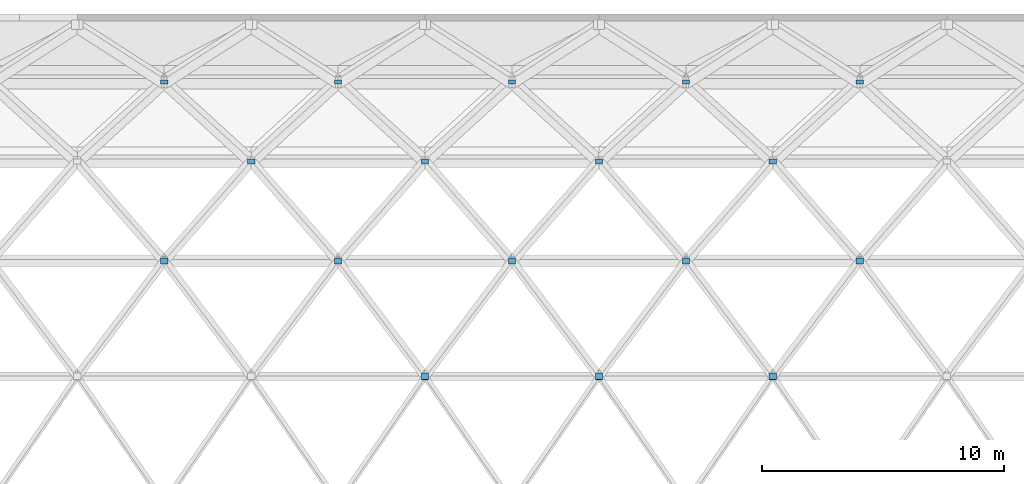
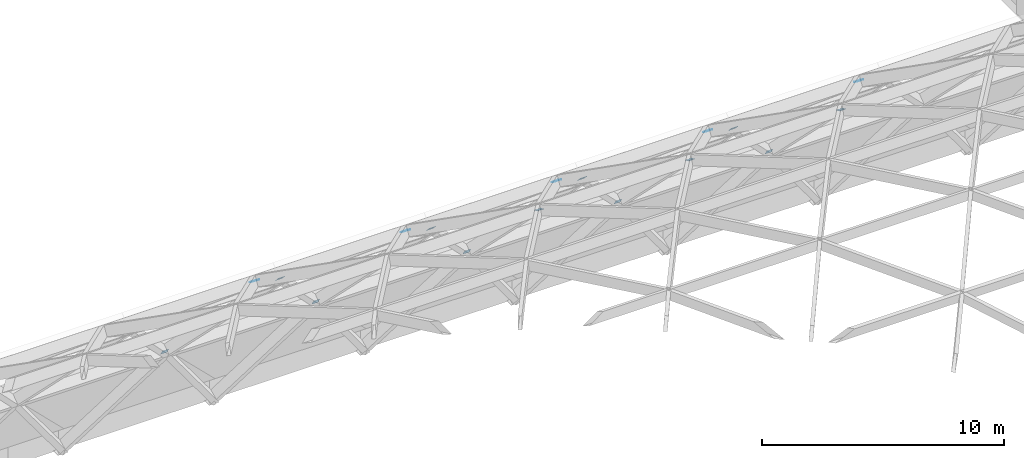
# One storey, part 46 of 52: 17 discrete accessories.
"""IFC4 building model written with IfcOpenShell, lengths in metres."""

import ifcopenshell
import ifcopenshell.guid

model = None  # the IFC model being written
_history = None  # IfcOwnerHistory: only IFC2X3 demands one
_inside = {}  # id of a spatial element -> (the spatial element, [elements in it])
_under = {}  # id of a project, library or spatial element -> (it, [spatial elements below it])
_declared = {}  # id of a project -> (the project, [libraries it declares])
_typed = {}  # id of a type object -> (the type object, [elements of that type])
_made_of = {}  # id of a material, layer set ... -> (it, [elements and type objects made of it])


def new_model(schema):
    """Start an empty IFC model of exactly this schema.

    Asked for "IFC4X3", IfcOpenShell would pick the latest addendum, in which some entities
    have other attributes; the version numbers below select the first issue.
    IFC2X3 requires an IfcOwnerHistory on every rooted entity: one is made here for all.
    """
    global model, _history
    if schema == "IFC4X3":
        model = ifcopenshell.file(schema_version=(4, 3, 0, 0))
    else:
        model = ifcopenshell.file(schema=schema)
    _inside.clear()
    _under.clear()
    _declared.clear()
    _typed.clear()
    _made_of.clear()
    _history = None
    if model.schema == "IFC2X3":
        org = make("IfcOrganization", Name="unknown")
        user = make(
            "IfcPersonAndOrganization",
            ThePerson=make("IfcPerson", FamilyName="unknown"),
            TheOrganization=org,
        )
        app = make(
            "IfcApplication",
            ApplicationDeveloper=org,
            Version="unknown",
            ApplicationFullName="unknown",
            ApplicationIdentifier="unknown",
        )
        _history = make(
            "IfcOwnerHistory",
            OwningUser=user,
            OwningApplication=app,
            ChangeAction="ADDED",
            CreationDate=0,
        )
    return model


def make(cls, **values):
    """One entity of the class cls with the attributes given. An attribute that is None is left unset."""
    return model.create_entity(
        cls, **{name: value for name, value in values.items() if value is not None}
    )


def rooted(cls, **values):
    """An entity with a GlobalId (a new one), such as an element, a storey or a relation."""
    return make(cls, GlobalId=ifcopenshell.guid.new(), OwnerHistory=_history, **values)


def si_unit(unit_type, name, prefix=None):
    """IfcSIUnit, for example si_unit("LENGTHUNIT", "METRE", prefix="MILLI")."""
    return make("IfcSIUnit", UnitType=unit_type, Prefix=prefix, Name=name)


def assignment(units):
    """IfcUnitAssignment: the units of a project."""
    return None if units is None else make("IfcUnitAssignment", Units=units)


def point(xyz):
    """IfcCartesianPoint."""
    return None if xyz is None else make("IfcCartesianPoint", Coordinates=xyz)


def direction(xyz):
    """IfcDirection."""
    return None if xyz is None else make("IfcDirection", DirectionRatios=xyz)


def frame(location, z_axis=None, x_axis=None):
    """IfcAxis2Placement3D, a coordinate frame: its origin and axes. An axis left out is left unset."""
    return make(
        "IfcAxis2Placement3D",
        Location=point(location),
        Axis=direction(z_axis),
        RefDirection=direction(x_axis),
    )


def frame_2d(location, x_axis=None):
    """IfcAxis2Placement2D, a coordinate frame in the plane: its origin and x axis."""
    return make(
        "IfcAxis2Placement2D", Location=point(location), RefDirection=direction(x_axis)
    )


def origin():
    """The frame at (0, 0, 0) with its axes left unset."""
    return frame((0.0, 0.0, 0.0))


def origin_2d():
    """The frame at (0, 0) in the plane with its x axis left unset."""
    return frame_2d((0.0, 0.0))


def place(relative_to, where):
    """IfcLocalPlacement: puts the frame where relative to a parent placement (None: the world)."""
    return make(
        "IfcLocalPlacement", PlacementRelTo=relative_to, RelativePlacement=where
    )


def context(
    kind, dimensions, precision=None, world=None, true_north=None, identifier=None
):
    """IfcGeometricRepresentationContext, for example the 3D "Model" context."""
    return make(
        "IfcGeometricRepresentationContext",
        ContextIdentifier=identifier,
        ContextType=kind,
        CoordinateSpaceDimension=dimensions,
        Precision=precision,
        WorldCoordinateSystem=world,
        TrueNorth=true_north,
    )


def subcontext(parent, identifier, kind, view, scale=None):
    """IfcGeometricRepresentationSubContext, for example "Body" below "Model"."""
    return make(
        "IfcGeometricRepresentationSubContext",
        ContextIdentifier=identifier,
        ContextType=kind,
        ParentContext=parent,
        TargetScale=scale,
        TargetView=view,
    )


def project(units=None, contexts=None):
    """IfcProject with its units and contexts."""
    return rooted(
        "IfcProject",
        Name="project",
        RepresentationContexts=contexts,
        UnitsInContext=assignment(units),
    )


def spatial(cls, under=None, at=None, **own):
    """A site, building, storey or space (cls), placed at a placement, below another one or the project."""
    s = rooted(cls, ObjectPlacement=at, **own)
    if under is not None:
        _under.setdefault(under.id(), (under, []))[1].append(s)
    return s


def profile(cls, at=None, kind="AREA", **sizes):
    """A parametric profile (cls). Its sizes go by their IFC names, for example OverallWidth=200.0."""
    return make(cls, ProfileType=kind, Position=at, **sizes)


def rectangle(**sizes):
    """IfcRectangleProfileDef."""
    return profile("IfcRectangleProfileDef", **sizes)


def extrude(swept, where, along, depth):
    """IfcExtrudedAreaSolid: the profile swept, set in the frame where, extruded along a direction by depth."""
    return make(
        "IfcExtrudedAreaSolid",
        SweptArea=swept,
        Position=where,
        ExtrudedDirection=direction(along),
        Depth=depth,
    )


def shape(context_of_items, identifier, shape_type, items):
    """IfcShapeRepresentation: the items that make up one representation, for example the "Body"."""
    return make(
        "IfcShapeRepresentation",
        ContextOfItems=context_of_items,
        RepresentationIdentifier=identifier,
        RepresentationType=shape_type,
        Items=items,
    )


def material(Name=None, Category=None):
    """IfcMaterial."""
    return make("IfcMaterial", Name=Name, Category=Category)


def material_profile(
    of_material, cross_section, Name=None, Category=None, Priority=None
):
    """IfcMaterialProfile: a cross section and its material."""
    return make(
        "IfcMaterialProfile",
        Name=Name,
        Material=of_material,
        Profile=cross_section,
        Priority=Priority,
        Category=Category,
    )


def profile_set(profiles, Name=None, composite=None):
    """IfcMaterialProfileSet."""
    return make(
        "IfcMaterialProfileSet",
        Name=Name,
        MaterialProfiles=profiles,
        CompositeProfile=composite,
    )


def made_of(thing, what):
    """Note that an element or type object is made of a material, layer set ...; save() writes the relation."""
    if what is not None:
        _made_of.setdefault(what.id(), (what, []))[1].append(thing)
    return thing


def type_object(cls, material=None, **own):
    """A type object (cls), such as IfcWallType, which elements share."""
    return made_of(rooted(cls, **own), material)


def element(
    cls,
    number,
    at=None,
    inside=None,
    cuts=None,
    type_object=None,
    material=None,
    context=None,
    identifier="Body",
    shape_type=None,
    held_by="IfcProductDefinitionShape",
    body=None,
    shapes=None,
    **own,
):
    """One element of the class cls, such as IfcWall. Its Tag is "e" and its number.

    at: its placement. inside: the storey or other place that contains it. cuts: it is an
    opening in that element (IfcRelVoidsElement). A single representation is given by context,
    identifier, shape_type and body (its items); several are given by shapes. held_by: the class
    of the entity that holds the representations. save() writes the other relations.
    """
    e = rooted(cls, Tag="e%d" % number, ObjectPlacement=at, **own)
    if body is not None:
        shapes = [shape(context, identifier, shape_type, body)]
    if shapes is not None:
        e.Representation = make(held_by, Representations=shapes)
    if inside is not None:
        _inside.setdefault(inside.id(), (inside, []))[1].append(e)
    if cuts is not None:
        rooted(
            "IfcRelVoidsElement", RelatingBuildingElement=cuts, RelatedOpeningElement=e
        )
    if type_object is not None:
        _typed.setdefault(type_object.id(), (type_object, []))[1].append(e)
    return made_of(e, material)


def aggregate(whole, parts):
    """IfcRelAggregates: a whole, such as a stair, and the parts it consists of."""
    return rooted("IfcRelAggregates", RelatingObject=whole, RelatedObjects=parts)


def save(model, path):
    """Write the relations noted so far, then the file.

    IfcRelAggregates (storeys below a building ...), IfcRelContainedInSpatialStructure (elements
    in a storey), IfcRelDefinesByType, IfcRelAssociatesMaterial and IfcRelDeclares: one each for
    every whole, place, type object, material and project.
    """
    for whole, parts in _under.values():
        aggregate(whole, parts)
    for where, things in _inside.values():
        rooted(
            "IfcRelContainedInSpatialStructure",
            RelatedElements=things,
            RelatingStructure=where,
        )
    for kind, things in _typed.values():
        rooted("IfcRelDefinesByType", RelatedObjects=things, RelatingType=kind)
    for what, things in _made_of.values():
        rooted("IfcRelAssociatesMaterial", RelatedObjects=things, RelatingMaterial=what)
    for by, libraries in _declared.values():
        rooted("IfcRelDeclares", RelatingContext=by, RelatedDefinitions=libraries)
    model.write(path)


model = new_model("IFC4")

# Units and contexts
model_context = context("Model", 3, precision=1e-05, world=origin(), true_north=direction((0.0, 1.0)))
body_context = subcontext(model_context, "Body", "Model", "MODEL_VIEW")
ifc_project = project(units=[si_unit("LENGTHUNIT", "METRE"), si_unit("AREAUNIT", "SQUARE_METRE"), si_unit("VOLUMEUNIT", "CUBIC_METRE"), si_unit("PLANEANGLEUNIT", "RADIAN"), si_unit("MASSUNIT", "GRAM", prefix="KILO")], contexts=[model_context])

# Site, building, storey
site_placement = place(None, origin())
site = spatial("IfcSite", under=ifc_project, at=site_placement, CompositionType="ELEMENT")
building_placement = place(site_placement, origin())
building = spatial("IfcBuilding", under=site, at=building_placement, Name="Vermilion Court Aquatics Centre", CompositionType="ELEMENT")
storey_placement = place(building_placement, frame((0.0, 0.0, 12.0)))
storey = spatial("IfcBuildingStorey", under=building, at=storey_placement, Name="L02", CompositionType="ELEMENT", Elevation=12.0)

# Discrete accessories
ifc_material = material(Name="Stainless steel 1.4547, 1.4529 or 1.4565", Category="steel")
ifc_material_profile = material_profile(ifc_material, rectangle(XDim=0.300048828125, YDim=0.300048828125, at=origin_2d()), Name="PL 12 x 300 x 300")
ifc_profile_set = profile_set([ifc_material_profile], Name="Stainless steel 1.4547, 1.4529 or 1.4565")
discrete_accessory_type = type_object("IfcDiscreteAccessoryType", Name="Gridshell node plate", PredefinedType="BRACKET", material=ifc_profile_set)
for number, where, z_axis, x_axis, name in (
    (1, (108.0, 50.297607421875, 16.00146484375), (0.0, 0.406138466053, 0.91381154862), (-1.0, 0.0, 0.0), "Gridshell node plate NP1 08-13"),
    (2, (115.199951171875, 50.297607421875, 16.00146484375), (0.0, 0.406138466053, 0.91381154862), (-1.0, 0.0, 0.0), "Gridshell node plate NP1 08-14"),
    (3, (122.39990234375, 50.297607421875, 16.00146484375), (0.0, 0.406138466053, 0.91381154862), (-1.0, 0.0, 0.0), "Gridshell node plate NP1 08-15"),
    (4, (97.199951171875, 55.076416015625, 13.2861328125), (0.0, 0.586967571461, 0.809610443394), (-1.0, 0.0, 0.0), "Gridshell node plate NP1 09-12"),
    (5, (104.39990234375, 55.076416015625, 13.2861328125), (0.0, 0.586967571461, 0.809610443394), (-1.0, 0.0, 0.0), "Gridshell node plate NP1 09-13"),
    (6, (111.60009765625, 55.076416015625, 13.2861328125), (0.0, 0.586967571461, 0.809610443394), (-1.0, 0.0, 0.0), "Gridshell node plate NP1 09-14"),
    (7, (118.800048828125, 55.076416015625, 13.2861328125), (0.0, 0.586967571461, 0.809610443394), (-1.0, 0.0, 0.0), "Gridshell node plate NP1 09-15"),
    (8, (126.0, 55.076416015625, 13.2861328125), (0.0, 0.586967571461, 0.809610443394), (-1.0, 0.0, 0.0), "Gridshell node plate NP1 09-16"),
    (9, (100.800048828125, 59.195556640625, 9.64794921875), (0.0, 0.737154140201, 0.675724628517), (-1.0, 0.0, 0.0), "Gridshell node plate NP1 10-12"),
    (10, (108.0, 59.195556640625, 9.64794921875), (0.0, 0.737154140201, 0.675724628517), (-1.0, 0.0, 0.0), "Gridshell node plate NP1 10-13"),
    (11, (115.199951171875, 59.195556640625, 9.64794921875), (0.0, 0.737154140201, 0.675724628517), (-1.0, 0.0, 0.0), "Gridshell node plate NP1 10-14"),
    (12, (122.39990234375, 59.195556640625, 9.64794921875), (0.0, 0.737154140201, 0.675724628517), (-1.0, 0.0, 0.0), "Gridshell node plate NP1 10-15"),
    (13, (97.199951171875, 62.48486328125, 5.23583984375), (0.0, 0.850265146688, 0.526354614616), (-1.0, 0.0, 0.0), "Gridshell node plate NP1 11-12"),
    (14, (104.39990234375, 62.48486328125, 5.23583984375), (0.0, 0.850265146688, 0.526354614616), (-1.0, 0.0, 0.0), "Gridshell node plate NP1 11-13"),
    (15, (111.60009765625, 62.48486328125, 5.23583984375), (0.0, 0.850265146688, 0.526354614616), (-1.0, 0.0, 0.0), "Gridshell node plate NP1 11-14"),
    (16, (118.800048828125, 62.48486328125, 5.23583984375), (0.0, 0.850265146688, 0.526354614616), (-1.0, 0.0, 0.0), "Gridshell node plate NP1 11-15"),
    (17, (126.0, 62.48486328125, 5.23583984375), (0.0, 0.850265146688, 0.526354614616), (-1.0, 0.0, 0.0), "Gridshell node plate NP1 11-16"),
):
    element("IfcDiscreteAccessory", number, at=place(storey_placement, frame(where, z_axis=z_axis, x_axis=x_axis)), inside=storey, type_object=discrete_accessory_type, Name=name, PredefinedType="BRACKET", context=body_context, shape_type="SweptSolid", body=[
        extrude(rectangle(XDim=0.300048828125, YDim=0.300048828125, at=origin_2d()), origin(), (0.0, 0.0, 1.0), 0.011962890625),
    ])

save(model, "model.ifc")
